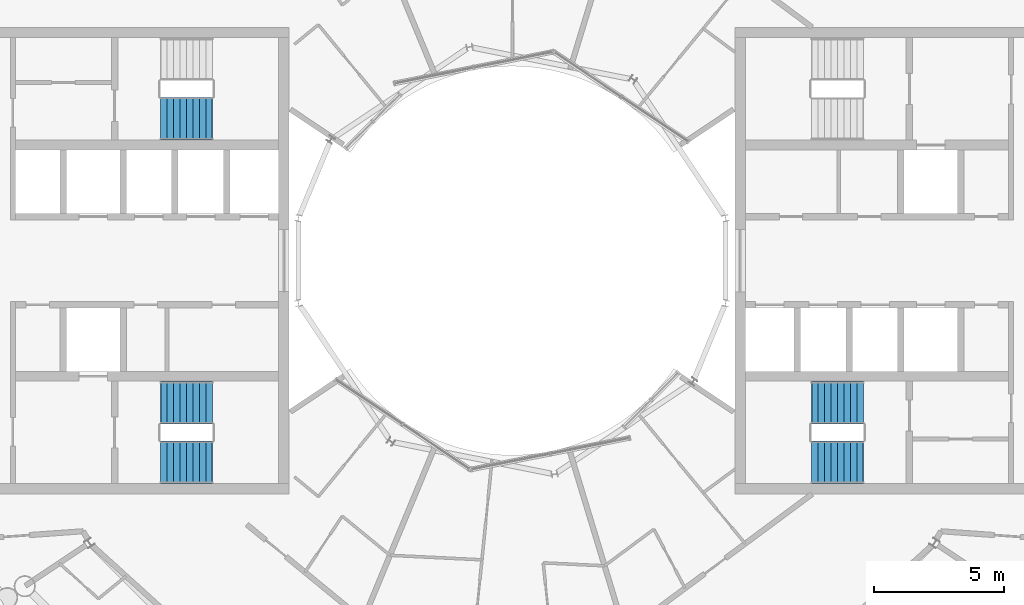
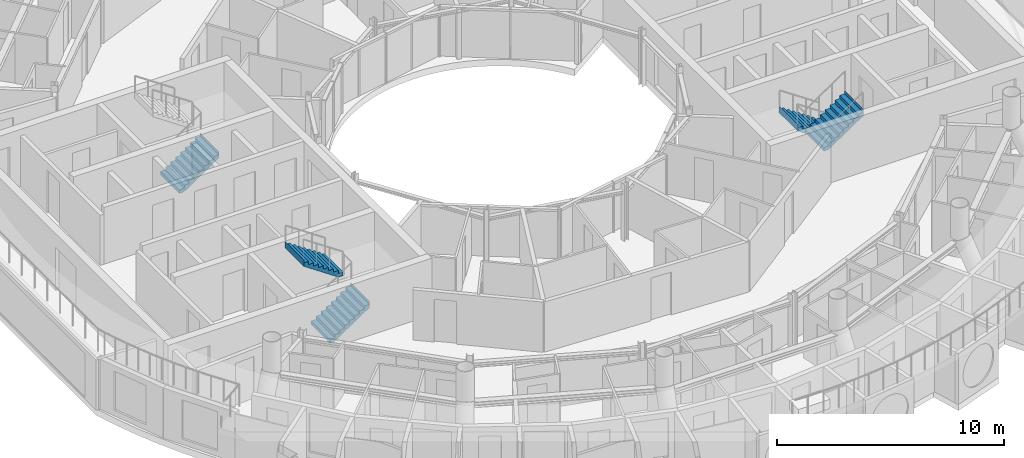
# One storey, part 22 of 25: 5 stair flights, 3 elements without a shape of their own.
"""IFC4 building model written with IfcOpenShell, lengths in metres."""

from ifc_helpers import new_model, si_unit, direction, frame, origin, place, context, subcontext, project, spatial, triangles, material, type_object, element, aggregate, save


model = new_model("IFC4")

# Units and contexts
model_context = context("Model", 3, precision=1e-05, world=origin(), true_north=direction((0.0, 1.0)))
body_context = subcontext(model_context, "Body", "Model", "MODEL_VIEW")
ifc_project = project(units=[si_unit("LENGTHUNIT", "METRE"), si_unit("AREAUNIT", "SQUARE_METRE"), si_unit("VOLUMEUNIT", "CUBIC_METRE"), si_unit("PLANEANGLEUNIT", "RADIAN"), si_unit("MASSUNIT", "GRAM", prefix="KILO")], contexts=[model_context])

# Site, building, storey
site_placement = place(None, origin())
site = spatial("IfcSite", under=ifc_project, at=site_placement, CompositionType="ELEMENT")
building_placement = place(site_placement, origin())
building = spatial("IfcBuilding", under=site, at=building_placement, Name="Maasbend Ring Residences", CompositionType="ELEMENT")
storey_placement = place(building_placement, frame((0.0, 0.0, 246.25)))
storey = spatial("IfcBuildingStorey", under=building, at=storey_placement, Name="L71", CompositionType="ELEMENT", Elevation=246.25)

# Stair, stair flights
ifc_material_1 = material(Name="Concrete C40/50", Category="concrete")
stair_type = type_object("IfcStairType", Name="CORE STAIR 18 RISERS", PredefinedType="HALF_TURN_STAIR", material=ifc_material_1)
stair_1_placement = place(storey_placement, origin())
stair_1 = element("IfcStair", 1, at=stair_1_placement, inside=storey, type_object=stair_type, Name="L71 Exit stair ST-E2", PredefinedType="HALF_TURN_STAIR")
ifc_material_2 = material(Name="Concrete C40/50", Category="concrete")
stair_flight_type = type_object("IfcStairFlightType", Name="CORE STAIR FLIGHT 1650", PredefinedType="STRAIGHT", material=ifc_material_2)
stair_flight_1_placement = place(storey_placement, frame((13.550048828125, -5.47509765625, 0.0), z_axis=(0.0, 0.0, 1.0), x_axis=(-1.0, 0.0, 0.0)))
stair_flight_1 = element("IfcStairFlight", 2, at=stair_flight_1_placement, type_object=stair_flight_type, Name="ST-E2 flight 1", NumberOfRisers=9, NumberOfTreads=8, PredefinedType="STRAIGHT", RiserHeight=0.169444444, TreadLength=0.25, context=body_context, shape_type="Tessellation", body=[
    triangles([(0.24072265625, 0.824951171875, -0.02001953125), (2.0029296875, 0.824951171875, 1.174560546875), (2.0029296875, 0.824951171875, 1.52490234375), (1.989990234375, 0.824951171875, 1.35546875), (1.75, 0.824951171875, 1.35546875), (1.75, 0.824951171875, 1.18603515625), (1.5, 0.824951171875, 1.18603515625), (1.5, 0.824951171875, 1.0166015625), (1.25, 0.824951171875, 1.0166015625), (1.25, 0.824951171875, 0.84716796875), (1.0, 0.824951171875, 0.84716796875), (1.0, 0.824951171875, 0.677734375), (0.75, 0.824951171875, 0.677734375), (0.75, 0.824951171875, 0.50830078125), (0.5, 0.824951171875, 0.50830078125), (0.5, 0.824951171875, 0.3388671875), (0.25, 0.824951171875, 0.3388671875), (0.25, 0.824951171875, 0.16943359375), (0.0, 0.824951171875, 0.16943359375), (0.0, 0.824951171875, 0.0), (-0.0029296875, 0.824951171875, 0.0), (-0.0029296875, 0.824951171875, -0.02001953125), (0.24072265625, 0.27490234375, -0.02001953125), (2.0029296875, 0.27490234375, 1.174560546875), (2.0029296875, 0.27490234375, 1.52490234375), (1.989990234375, 0.27490234375, 1.35546875), (1.75, 0.27490234375, 1.35546875), (1.75, 0.27490234375, 1.18603515625), (1.5, 0.27490234375, 1.18603515625), (1.5, 0.27490234375, 1.0166015625), (1.25, 0.27490234375, 1.0166015625), (1.25, 0.27490234375, 0.84716796875), (1.0, 0.27490234375, 0.84716796875), (1.0, 0.27490234375, 0.677734375), (0.75, 0.27490234375, 0.677734375), (0.75, 0.27490234375, 0.50830078125), (0.5, 0.27490234375, 0.50830078125), (0.5, 0.27490234375, 0.3388671875), (0.25, 0.27490234375, 0.3388671875), (0.25, 0.27490234375, 0.16943359375), (0.0, 0.27490234375, 0.16943359375), (0.0, 0.27490234375, 0.0), (-0.0029296875, 0.27490234375, 0.0), (-0.0029296875, 0.27490234375, -0.02001953125), (0.24072265625, -0.27490234375, -0.02001953125), (2.0029296875, -0.27490234375, 1.174560546875), (2.0029296875, -0.27490234375, 1.52490234375), (1.989990234375, -0.27490234375, 1.35546875), (1.75, -0.27490234375, 1.35546875), (1.75, -0.27490234375, 1.18603515625), (1.5, -0.27490234375, 1.18603515625), (1.5, -0.27490234375, 1.0166015625), (1.25, -0.27490234375, 1.0166015625), (1.25, -0.27490234375, 0.84716796875), (1.0, -0.27490234375, 0.84716796875), (1.0, -0.27490234375, 0.677734375), (0.75, -0.27490234375, 0.677734375), (0.75, -0.27490234375, 0.50830078125), (0.5, -0.27490234375, 0.50830078125), (0.5, -0.27490234375, 0.3388671875), (0.25, -0.27490234375, 0.3388671875), (0.25, -0.27490234375, 0.16943359375), (0.0, -0.27490234375, 0.16943359375), (0.0, -0.27490234375, 0.0), (-0.0029296875, -0.27490234375, 0.0), (-0.0029296875, -0.27490234375, -0.02001953125), (0.24072265625, -0.824951171875, -0.02001953125), (2.0029296875, -0.824951171875, 1.174560546875), (2.0029296875, -0.824951171875, 1.52490234375), (1.989990234375, -0.824951171875, 1.35546875), (1.75, -0.824951171875, 1.35546875), (1.75, -0.824951171875, 1.18603515625), (1.5, -0.824951171875, 1.18603515625), (1.5, -0.824951171875, 1.0166015625), (1.25, -0.824951171875, 1.0166015625), (1.25, -0.824951171875, 0.84716796875), (1.0, -0.824951171875, 0.84716796875), (1.0, -0.824951171875, 0.677734375), (0.75, -0.824951171875, 0.677734375), (0.75, -0.824951171875, 0.50830078125), (0.5, -0.824951171875, 0.50830078125), (0.5, -0.824951171875, 0.3388671875), (0.25, -0.824951171875, 0.3388671875), (0.25, -0.824951171875, 0.16943359375), (0.0, -0.824951171875, 0.16943359375), (0.0, -0.824951171875, 0.0), (-0.0029296875, -0.824951171875, 0.0), (-0.0029296875, -0.824951171875, -0.02001953125)], [[1, 2, 24], [1, 24, 23], [23, 24, 46], [23, 46, 45], [45, 46, 68], [45, 68, 67], [2, 3, 25], [2, 25, 24], [24, 25, 47], [24, 47, 46], [46, 47, 69], [46, 69, 68], [3, 4, 26], [3, 26, 25], [25, 26, 48], [25, 48, 47], [47, 48, 70], [47, 70, 69], [4, 5, 27], [4, 27, 26], [26, 27, 49], [26, 49, 48], [48, 49, 71], [48, 71, 70], [5, 6, 28], [5, 28, 27], [27, 28, 50], [27, 50, 49], [49, 50, 72], [49, 72, 71], [6, 7, 29], [6, 29, 28], [28, 29, 51], [28, 51, 50], [50, 51, 73], [50, 73, 72], [7, 8, 30], [7, 30, 29], [29, 30, 52], [29, 52, 51], [51, 52, 74], [51, 74, 73], [8, 9, 31], [8, 31, 30], [30, 31, 53], [30, 53, 52], [52, 53, 75], [52, 75, 74], [9, 10, 32], [9, 32, 31], [31, 32, 54], [31, 54, 53], [53, 54, 76], [53, 76, 75], [10, 11, 33], [10, 33, 32], [32, 33, 55], [32, 55, 54], [54, 55, 77], [54, 77, 76], [11, 12, 34], [11, 34, 33], [33, 34, 56], [33, 56, 55], [55, 56, 78], [55, 78, 77], [12, 13, 35], [12, 35, 34], [34, 35, 57], [34, 57, 56], [56, 57, 79], [56, 79, 78], [13, 14, 36], [13, 36, 35], [35, 36, 58], [35, 58, 57], [57, 58, 80], [57, 80, 79], [14, 15, 37], [14, 37, 36], [36, 37, 59], [36, 59, 58], [58, 59, 81], [58, 81, 80], [15, 16, 38], [15, 38, 37], [37, 38, 60], [37, 60, 59], [59, 60, 82], [59, 82, 81], [16, 17, 39], [16, 39, 38], [38, 39, 61], [38, 61, 60], [60, 61, 83], [60, 83, 82], [17, 18, 40], [17, 40, 39], [39, 40, 62], [39, 62, 61], [61, 62, 84], [61, 84, 83], [18, 19, 41], [18, 41, 40], [40, 41, 63], [40, 63, 62], [62, 63, 85], [62, 85, 84], [19, 20, 42], [19, 42, 41], [41, 42, 64], [41, 64, 63], [63, 64, 86], [63, 86, 85], [20, 21, 43], [20, 43, 42], [42, 43, 65], [42, 65, 64], [64, 65, 87], [64, 87, 86], [21, 22, 44], [21, 44, 43], [43, 44, 66], [43, 66, 65], [65, 66, 88], [65, 88, 87], [22, 1, 23], [22, 23, 44], [44, 23, 45], [44, 45, 66], [66, 45, 67], [66, 67, 88], [22, 2, 1], [2, 4, 3], [2, 5, 4], [2, 6, 5], [22, 6, 2], [6, 8, 7], [22, 8, 6], [8, 10, 9], [22, 10, 8], [10, 12, 11], [22, 12, 10], [12, 14, 13], [22, 14, 12], [14, 16, 15], [22, 16, 14], [16, 18, 17], [22, 18, 16], [18, 20, 19], [22, 20, 18], [20, 22, 21], [88, 67, 68], [68, 69, 70], [68, 70, 71], [68, 71, 72], [88, 68, 72], [72, 73, 74], [88, 72, 74], [74, 75, 76], [88, 74, 76], [76, 77, 78], [88, 76, 78], [78, 79, 80], [88, 78, 80], [80, 81, 82], [88, 80, 82], [82, 83, 84], [88, 82, 84], [84, 85, 86], [88, 84, 86], [86, 87, 88]], closed=True),
])
stair_flight_2_placement = place(storey_placement, frame((11.550048828125, -7.77490234375, 1.52490234375), z_axis=(0.0, 0.0, 1.0), x_axis=(1.0, 0.0, 0.0)))
stair_flight_2 = element("IfcStairFlight", 3, at=stair_flight_2_placement, type_object=stair_flight_type, Name="ST-E2 flight 2", NumberOfRisers=9, NumberOfTreads=8, PredefinedType="STRAIGHT", RiserHeight=0.169444444, TreadLength=0.25, context=body_context, shape_type="Tessellation", body=[
    triangles([(0.24072265625, 0.824951171875, -0.02001953125), (2.0029296875, 0.824951171875, 1.174560546875), (2.0029296875, 0.824951171875, 1.52490234375), (1.989990234375, 0.824951171875, 1.35546875), (1.75, 0.824951171875, 1.35546875), (1.75, 0.824951171875, 1.18603515625), (1.5, 0.824951171875, 1.18603515625), (1.5, 0.824951171875, 1.0166015625), (1.25, 0.824951171875, 1.0166015625), (1.25, 0.824951171875, 0.84716796875), (1.0, 0.824951171875, 0.84716796875), (1.0, 0.824951171875, 0.677734375), (0.75, 0.824951171875, 0.677734375), (0.75, 0.824951171875, 0.50830078125), (0.5, 0.824951171875, 0.50830078125), (0.5, 0.824951171875, 0.3388671875), (0.25, 0.824951171875, 0.3388671875), (0.25, 0.824951171875, 0.16943359375), (0.0, 0.824951171875, 0.16943359375), (0.0, 0.824951171875, 0.0), (-0.0029296875, 0.824951171875, 0.0), (-0.0029296875, 0.824951171875, -0.02001953125), (0.24072265625, 0.27490234375, -0.02001953125), (2.0029296875, 0.27490234375, 1.174560546875), (2.0029296875, 0.27490234375, 1.52490234375), (1.989990234375, 0.27490234375, 1.35546875), (1.75, 0.27490234375, 1.35546875), (1.75, 0.27490234375, 1.18603515625), (1.5, 0.27490234375, 1.18603515625), (1.5, 0.27490234375, 1.0166015625), (1.25, 0.27490234375, 1.0166015625), (1.25, 0.27490234375, 0.84716796875), (1.0, 0.27490234375, 0.84716796875), (1.0, 0.27490234375, 0.677734375), (0.75, 0.27490234375, 0.677734375), (0.75, 0.27490234375, 0.50830078125), (0.5, 0.27490234375, 0.50830078125), (0.5, 0.27490234375, 0.3388671875), (0.25, 0.27490234375, 0.3388671875), (0.25, 0.27490234375, 0.16943359375), (0.0, 0.27490234375, 0.16943359375), (0.0, 0.27490234375, 0.0), (-0.0029296875, 0.27490234375, 0.0), (-0.0029296875, 0.27490234375, -0.02001953125), (0.24072265625, -0.27490234375, -0.02001953125), (2.0029296875, -0.27490234375, 1.174560546875), (2.0029296875, -0.27490234375, 1.52490234375), (1.989990234375, -0.27490234375, 1.35546875), (1.75, -0.27490234375, 1.35546875), (1.75, -0.27490234375, 1.18603515625), (1.5, -0.27490234375, 1.18603515625), (1.5, -0.27490234375, 1.0166015625), (1.25, -0.27490234375, 1.0166015625), (1.25, -0.27490234375, 0.84716796875), (1.0, -0.27490234375, 0.84716796875), (1.0, -0.27490234375, 0.677734375), (0.75, -0.27490234375, 0.677734375), (0.75, -0.27490234375, 0.50830078125), (0.5, -0.27490234375, 0.50830078125), (0.5, -0.27490234375, 0.3388671875), (0.25, -0.27490234375, 0.3388671875), (0.25, -0.27490234375, 0.16943359375), (0.0, -0.27490234375, 0.16943359375), (0.0, -0.27490234375, 0.0), (-0.0029296875, -0.27490234375, 0.0), (-0.0029296875, -0.27490234375, -0.02001953125), (0.24072265625, -0.824951171875, -0.02001953125), (2.0029296875, -0.824951171875, 1.174560546875), (2.0029296875, -0.824951171875, 1.52490234375), (1.989990234375, -0.824951171875, 1.35546875), (1.75, -0.824951171875, 1.35546875), (1.75, -0.824951171875, 1.18603515625), (1.5, -0.824951171875, 1.18603515625), (1.5, -0.824951171875, 1.0166015625), (1.25, -0.824951171875, 1.0166015625), (1.25, -0.824951171875, 0.84716796875), (1.0, -0.824951171875, 0.84716796875), (1.0, -0.824951171875, 0.677734375), (0.75, -0.824951171875, 0.677734375), (0.75, -0.824951171875, 0.50830078125), (0.5, -0.824951171875, 0.50830078125), (0.5, -0.824951171875, 0.3388671875), (0.25, -0.824951171875, 0.3388671875), (0.25, -0.824951171875, 0.16943359375), (0.0, -0.824951171875, 0.16943359375), (0.0, -0.824951171875, 0.0), (-0.0029296875, -0.824951171875, 0.0), (-0.0029296875, -0.824951171875, -0.02001953125)], [[1, 2, 24], [1, 24, 23], [23, 24, 46], [23, 46, 45], [45, 46, 68], [45, 68, 67], [2, 3, 25], [2, 25, 24], [24, 25, 47], [24, 47, 46], [46, 47, 69], [46, 69, 68], [3, 4, 26], [3, 26, 25], [25, 26, 48], [25, 48, 47], [47, 48, 70], [47, 70, 69], [4, 5, 27], [4, 27, 26], [26, 27, 49], [26, 49, 48], [48, 49, 71], [48, 71, 70], [5, 6, 28], [5, 28, 27], [27, 28, 50], [27, 50, 49], [49, 50, 72], [49, 72, 71], [6, 7, 29], [6, 29, 28], [28, 29, 51], [28, 51, 50], [50, 51, 73], [50, 73, 72], [7, 8, 30], [7, 30, 29], [29, 30, 52], [29, 52, 51], [51, 52, 74], [51, 74, 73], [8, 9, 31], [8, 31, 30], [30, 31, 53], [30, 53, 52], [52, 53, 75], [52, 75, 74], [9, 10, 32], [9, 32, 31], [31, 32, 54], [31, 54, 53], [53, 54, 76], [53, 76, 75], [10, 11, 33], [10, 33, 32], [32, 33, 55], [32, 55, 54], [54, 55, 77], [54, 77, 76], [11, 12, 34], [11, 34, 33], [33, 34, 56], [33, 56, 55], [55, 56, 78], [55, 78, 77], [12, 13, 35], [12, 35, 34], [34, 35, 57], [34, 57, 56], [56, 57, 79], [56, 79, 78], [13, 14, 36], [13, 36, 35], [35, 36, 58], [35, 58, 57], [57, 58, 80], [57, 80, 79], [14, 15, 37], [14, 37, 36], [36, 37, 59], [36, 59, 58], [58, 59, 81], [58, 81, 80], [15, 16, 38], [15, 38, 37], [37, 38, 60], [37, 60, 59], [59, 60, 82], [59, 82, 81], [16, 17, 39], [16, 39, 38], [38, 39, 61], [38, 61, 60], [60, 61, 83], [60, 83, 82], [17, 18, 40], [17, 40, 39], [39, 40, 62], [39, 62, 61], [61, 62, 84], [61, 84, 83], [18, 19, 41], [18, 41, 40], [40, 41, 63], [40, 63, 62], [62, 63, 85], [62, 85, 84], [19, 20, 42], [19, 42, 41], [41, 42, 64], [41, 64, 63], [63, 64, 86], [63, 86, 85], [20, 21, 43], [20, 43, 42], [42, 43, 65], [42, 65, 64], [64, 65, 87], [64, 87, 86], [21, 22, 44], [21, 44, 43], [43, 44, 66], [43, 66, 65], [65, 66, 88], [65, 88, 87], [22, 1, 23], [22, 23, 44], [44, 23, 45], [44, 45, 66], [66, 45, 67], [66, 67, 88], [22, 2, 1], [2, 4, 3], [2, 5, 4], [2, 6, 5], [22, 6, 2], [6, 8, 7], [22, 8, 6], [8, 10, 9], [22, 10, 8], [10, 12, 11], [22, 12, 10], [12, 14, 13], [22, 14, 12], [14, 16, 15], [22, 16, 14], [16, 18, 17], [22, 18, 16], [18, 20, 19], [22, 20, 18], [20, 22, 21], [88, 67, 68], [68, 69, 70], [68, 70, 71], [68, 71, 72], [88, 68, 72], [72, 73, 74], [88, 72, 74], [74, 75, 76], [88, 74, 76], [76, 77, 78], [88, 76, 78], [78, 79, 80], [88, 78, 80], [80, 81, 82], [88, 80, 82], [82, 83, 84], [88, 82, 84], [84, 85, 86], [88, 84, 86], [86, 87, 88]], closed=True),
])
aggregate(stair_1, [stair_flight_1, stair_flight_2])

stair_2_placement = place(storey_placement, origin())
stair_2 = element("IfcStair", 4, at=stair_2_placement, inside=storey, type_object=stair_type, Name="L71 Exit stair ST-W1", PredefinedType="HALF_TURN_STAIR")
stair_flight_3_placement = place(storey_placement, frame((-13.550048828125, -7.77490234375, 0.0), z_axis=(0.0, 0.0, 1.0), x_axis=(1.0, 0.0, 0.0)))
stair_flight_3 = element("IfcStairFlight", 5, at=stair_flight_3_placement, type_object=stair_flight_type, Name="ST-W1 flight 1", NumberOfRisers=9, NumberOfTreads=8, PredefinedType="STRAIGHT", RiserHeight=0.169444444, TreadLength=0.25, context=body_context, shape_type="Tessellation", body=[
    triangles([(0.24072265625, 0.824951171875, -0.02001953125), (2.0029296875, 0.824951171875, 1.174560546875), (2.0029296875, 0.824951171875, 1.52490234375), (1.989990234375, 0.824951171875, 1.35546875), (1.75, 0.824951171875, 1.35546875), (1.75, 0.824951171875, 1.18603515625), (1.5, 0.824951171875, 1.18603515625), (1.5, 0.824951171875, 1.0166015625), (1.25, 0.824951171875, 1.0166015625), (1.25, 0.824951171875, 0.84716796875), (1.0, 0.824951171875, 0.84716796875), (1.0, 0.824951171875, 0.677734375), (0.75, 0.824951171875, 0.677734375), (0.75, 0.824951171875, 0.50830078125), (0.5, 0.824951171875, 0.50830078125), (0.5, 0.824951171875, 0.3388671875), (0.25, 0.824951171875, 0.3388671875), (0.25, 0.824951171875, 0.16943359375), (0.0, 0.824951171875, 0.16943359375), (0.0, 0.824951171875, 0.0), (-0.0029296875, 0.824951171875, 0.0), (-0.0029296875, 0.824951171875, -0.02001953125), (0.24072265625, 0.27490234375, -0.02001953125), (2.0029296875, 0.27490234375, 1.174560546875), (2.0029296875, 0.27490234375, 1.52490234375), (1.989990234375, 0.27490234375, 1.35546875), (1.75, 0.27490234375, 1.35546875), (1.75, 0.27490234375, 1.18603515625), (1.5, 0.27490234375, 1.18603515625), (1.5, 0.27490234375, 1.0166015625), (1.25, 0.27490234375, 1.0166015625), (1.25, 0.27490234375, 0.84716796875), (1.0, 0.27490234375, 0.84716796875), (1.0, 0.27490234375, 0.677734375), (0.75, 0.27490234375, 0.677734375), (0.75, 0.27490234375, 0.50830078125), (0.5, 0.27490234375, 0.50830078125), (0.5, 0.27490234375, 0.3388671875), (0.25, 0.27490234375, 0.3388671875), (0.25, 0.27490234375, 0.16943359375), (0.0, 0.27490234375, 0.16943359375), (0.0, 0.27490234375, 0.0), (-0.0029296875, 0.27490234375, 0.0), (-0.0029296875, 0.27490234375, -0.02001953125), (0.24072265625, -0.27490234375, -0.02001953125), (2.0029296875, -0.27490234375, 1.174560546875), (2.0029296875, -0.27490234375, 1.52490234375), (1.989990234375, -0.27490234375, 1.35546875), (1.75, -0.27490234375, 1.35546875), (1.75, -0.27490234375, 1.18603515625), (1.5, -0.27490234375, 1.18603515625), (1.5, -0.27490234375, 1.0166015625), (1.25, -0.27490234375, 1.0166015625), (1.25, -0.27490234375, 0.84716796875), (1.0, -0.27490234375, 0.84716796875), (1.0, -0.27490234375, 0.677734375), (0.75, -0.27490234375, 0.677734375), (0.75, -0.27490234375, 0.50830078125), (0.5, -0.27490234375, 0.50830078125), (0.5, -0.27490234375, 0.3388671875), (0.25, -0.27490234375, 0.3388671875), (0.25, -0.27490234375, 0.16943359375), (0.0, -0.27490234375, 0.16943359375), (0.0, -0.27490234375, 0.0), (-0.0029296875, -0.27490234375, 0.0), (-0.0029296875, -0.27490234375, -0.02001953125), (0.24072265625, -0.824951171875, -0.02001953125), (2.0029296875, -0.824951171875, 1.174560546875), (2.0029296875, -0.824951171875, 1.52490234375), (1.989990234375, -0.824951171875, 1.35546875), (1.75, -0.824951171875, 1.35546875), (1.75, -0.824951171875, 1.18603515625), (1.5, -0.824951171875, 1.18603515625), (1.5, -0.824951171875, 1.0166015625), (1.25, -0.824951171875, 1.0166015625), (1.25, -0.824951171875, 0.84716796875), (1.0, -0.824951171875, 0.84716796875), (1.0, -0.824951171875, 0.677734375), (0.75, -0.824951171875, 0.677734375), (0.75, -0.824951171875, 0.50830078125), (0.5, -0.824951171875, 0.50830078125), (0.5, -0.824951171875, 0.3388671875), (0.25, -0.824951171875, 0.3388671875), (0.25, -0.824951171875, 0.16943359375), (0.0, -0.824951171875, 0.16943359375), (0.0, -0.824951171875, 0.0), (-0.0029296875, -0.824951171875, 0.0), (-0.0029296875, -0.824951171875, -0.02001953125)], [[1, 2, 24], [1, 24, 23], [23, 24, 46], [23, 46, 45], [45, 46, 68], [45, 68, 67], [2, 3, 25], [2, 25, 24], [24, 25, 47], [24, 47, 46], [46, 47, 69], [46, 69, 68], [3, 4, 26], [3, 26, 25], [25, 26, 48], [25, 48, 47], [47, 48, 70], [47, 70, 69], [4, 5, 27], [4, 27, 26], [26, 27, 49], [26, 49, 48], [48, 49, 71], [48, 71, 70], [5, 6, 28], [5, 28, 27], [27, 28, 50], [27, 50, 49], [49, 50, 72], [49, 72, 71], [6, 7, 29], [6, 29, 28], [28, 29, 51], [28, 51, 50], [50, 51, 73], [50, 73, 72], [7, 8, 30], [7, 30, 29], [29, 30, 52], [29, 52, 51], [51, 52, 74], [51, 74, 73], [8, 9, 31], [8, 31, 30], [30, 31, 53], [30, 53, 52], [52, 53, 75], [52, 75, 74], [9, 10, 32], [9, 32, 31], [31, 32, 54], [31, 54, 53], [53, 54, 76], [53, 76, 75], [10, 11, 33], [10, 33, 32], [32, 33, 55], [32, 55, 54], [54, 55, 77], [54, 77, 76], [11, 12, 34], [11, 34, 33], [33, 34, 56], [33, 56, 55], [55, 56, 78], [55, 78, 77], [12, 13, 35], [12, 35, 34], [34, 35, 57], [34, 57, 56], [56, 57, 79], [56, 79, 78], [13, 14, 36], [13, 36, 35], [35, 36, 58], [35, 58, 57], [57, 58, 80], [57, 80, 79], [14, 15, 37], [14, 37, 36], [36, 37, 59], [36, 59, 58], [58, 59, 81], [58, 81, 80], [15, 16, 38], [15, 38, 37], [37, 38, 60], [37, 60, 59], [59, 60, 82], [59, 82, 81], [16, 17, 39], [16, 39, 38], [38, 39, 61], [38, 61, 60], [60, 61, 83], [60, 83, 82], [17, 18, 40], [17, 40, 39], [39, 40, 62], [39, 62, 61], [61, 62, 84], [61, 84, 83], [18, 19, 41], [18, 41, 40], [40, 41, 63], [40, 63, 62], [62, 63, 85], [62, 85, 84], [19, 20, 42], [19, 42, 41], [41, 42, 64], [41, 64, 63], [63, 64, 86], [63, 86, 85], [20, 21, 43], [20, 43, 42], [42, 43, 65], [42, 65, 64], [64, 65, 87], [64, 87, 86], [21, 22, 44], [21, 44, 43], [43, 44, 66], [43, 66, 65], [65, 66, 88], [65, 88, 87], [22, 1, 23], [22, 23, 44], [44, 23, 45], [44, 45, 66], [66, 45, 67], [66, 67, 88], [22, 2, 1], [2, 4, 3], [2, 5, 4], [2, 6, 5], [22, 6, 2], [6, 8, 7], [22, 8, 6], [8, 10, 9], [22, 10, 8], [10, 12, 11], [22, 12, 10], [12, 14, 13], [22, 14, 12], [14, 16, 15], [22, 16, 14], [16, 18, 17], [22, 18, 16], [18, 20, 19], [22, 20, 18], [20, 22, 21], [88, 67, 68], [68, 69, 70], [68, 70, 71], [68, 71, 72], [88, 68, 72], [72, 73, 74], [88, 72, 74], [74, 75, 76], [88, 74, 76], [76, 77, 78], [88, 76, 78], [78, 79, 80], [88, 78, 80], [80, 81, 82], [88, 80, 82], [82, 83, 84], [88, 82, 84], [84, 85, 86], [88, 84, 86], [86, 87, 88]], closed=True),
])
stair_flight_4_placement = place(storey_placement, frame((-11.550048828125, -5.47509765625, 1.52490234375), z_axis=(0.0, 0.0, 1.0), x_axis=(-1.0, 0.0, 0.0)))
stair_flight_4 = element("IfcStairFlight", 6, at=stair_flight_4_placement, type_object=stair_flight_type, Name="ST-W1 flight 2", NumberOfRisers=9, NumberOfTreads=8, PredefinedType="STRAIGHT", RiserHeight=0.169444444, TreadLength=0.25, context=body_context, shape_type="Tessellation", body=[
    triangles([(0.24072265625, 0.824951171875, -0.02001953125), (2.0029296875, 0.824951171875, 1.174560546875), (2.0029296875, 0.824951171875, 1.52490234375), (1.989990234375, 0.824951171875, 1.35546875), (1.75, 0.824951171875, 1.35546875), (1.75, 0.824951171875, 1.18603515625), (1.5, 0.824951171875, 1.18603515625), (1.5, 0.824951171875, 1.0166015625), (1.25, 0.824951171875, 1.0166015625), (1.25, 0.824951171875, 0.84716796875), (1.0, 0.824951171875, 0.84716796875), (1.0, 0.824951171875, 0.677734375), (0.75, 0.824951171875, 0.677734375), (0.75, 0.824951171875, 0.50830078125), (0.5, 0.824951171875, 0.50830078125), (0.5, 0.824951171875, 0.3388671875), (0.25, 0.824951171875, 0.3388671875), (0.25, 0.824951171875, 0.16943359375), (0.0, 0.824951171875, 0.16943359375), (0.0, 0.824951171875, 0.0), (-0.0029296875, 0.824951171875, 0.0), (-0.0029296875, 0.824951171875, -0.02001953125), (0.24072265625, 0.27490234375, -0.02001953125), (2.0029296875, 0.27490234375, 1.174560546875), (2.0029296875, 0.27490234375, 1.52490234375), (1.989990234375, 0.27490234375, 1.35546875), (1.75, 0.27490234375, 1.35546875), (1.75, 0.27490234375, 1.18603515625), (1.5, 0.27490234375, 1.18603515625), (1.5, 0.27490234375, 1.0166015625), (1.25, 0.27490234375, 1.0166015625), (1.25, 0.27490234375, 0.84716796875), (1.0, 0.27490234375, 0.84716796875), (1.0, 0.27490234375, 0.677734375), (0.75, 0.27490234375, 0.677734375), (0.75, 0.27490234375, 0.50830078125), (0.5, 0.27490234375, 0.50830078125), (0.5, 0.27490234375, 0.3388671875), (0.25, 0.27490234375, 0.3388671875), (0.25, 0.27490234375, 0.16943359375), (0.0, 0.27490234375, 0.16943359375), (0.0, 0.27490234375, 0.0), (-0.0029296875, 0.27490234375, 0.0), (-0.0029296875, 0.27490234375, -0.02001953125), (0.24072265625, -0.27490234375, -0.02001953125), (2.0029296875, -0.27490234375, 1.174560546875), (2.0029296875, -0.27490234375, 1.52490234375), (1.989990234375, -0.27490234375, 1.35546875), (1.75, -0.27490234375, 1.35546875), (1.75, -0.27490234375, 1.18603515625), (1.5, -0.27490234375, 1.18603515625), (1.5, -0.27490234375, 1.0166015625), (1.25, -0.27490234375, 1.0166015625), (1.25, -0.27490234375, 0.84716796875), (1.0, -0.27490234375, 0.84716796875), (1.0, -0.27490234375, 0.677734375), (0.75, -0.27490234375, 0.677734375), (0.75, -0.27490234375, 0.50830078125), (0.5, -0.27490234375, 0.50830078125), (0.5, -0.27490234375, 0.3388671875), (0.25, -0.27490234375, 0.3388671875), (0.25, -0.27490234375, 0.16943359375), (0.0, -0.27490234375, 0.16943359375), (0.0, -0.27490234375, 0.0), (-0.0029296875, -0.27490234375, 0.0), (-0.0029296875, -0.27490234375, -0.02001953125), (0.24072265625, -0.824951171875, -0.02001953125), (2.0029296875, -0.824951171875, 1.174560546875), (2.0029296875, -0.824951171875, 1.52490234375), (1.989990234375, -0.824951171875, 1.35546875), (1.75, -0.824951171875, 1.35546875), (1.75, -0.824951171875, 1.18603515625), (1.5, -0.824951171875, 1.18603515625), (1.5, -0.824951171875, 1.0166015625), (1.25, -0.824951171875, 1.0166015625), (1.25, -0.824951171875, 0.84716796875), (1.0, -0.824951171875, 0.84716796875), (1.0, -0.824951171875, 0.677734375), (0.75, -0.824951171875, 0.677734375), (0.75, -0.824951171875, 0.50830078125), (0.5, -0.824951171875, 0.50830078125), (0.5, -0.824951171875, 0.3388671875), (0.25, -0.824951171875, 0.3388671875), (0.25, -0.824951171875, 0.16943359375), (0.0, -0.824951171875, 0.16943359375), (0.0, -0.824951171875, 0.0), (-0.0029296875, -0.824951171875, 0.0), (-0.0029296875, -0.824951171875, -0.02001953125)], [[1, 2, 24], [1, 24, 23], [23, 24, 46], [23, 46, 45], [45, 46, 68], [45, 68, 67], [2, 3, 25], [2, 25, 24], [24, 25, 47], [24, 47, 46], [46, 47, 69], [46, 69, 68], [3, 4, 26], [3, 26, 25], [25, 26, 48], [25, 48, 47], [47, 48, 70], [47, 70, 69], [4, 5, 27], [4, 27, 26], [26, 27, 49], [26, 49, 48], [48, 49, 71], [48, 71, 70], [5, 6, 28], [5, 28, 27], [27, 28, 50], [27, 50, 49], [49, 50, 72], [49, 72, 71], [6, 7, 29], [6, 29, 28], [28, 29, 51], [28, 51, 50], [50, 51, 73], [50, 73, 72], [7, 8, 30], [7, 30, 29], [29, 30, 52], [29, 52, 51], [51, 52, 74], [51, 74, 73], [8, 9, 31], [8, 31, 30], [30, 31, 53], [30, 53, 52], [52, 53, 75], [52, 75, 74], [9, 10, 32], [9, 32, 31], [31, 32, 54], [31, 54, 53], [53, 54, 76], [53, 76, 75], [10, 11, 33], [10, 33, 32], [32, 33, 55], [32, 55, 54], [54, 55, 77], [54, 77, 76], [11, 12, 34], [11, 34, 33], [33, 34, 56], [33, 56, 55], [55, 56, 78], [55, 78, 77], [12, 13, 35], [12, 35, 34], [34, 35, 57], [34, 57, 56], [56, 57, 79], [56, 79, 78], [13, 14, 36], [13, 36, 35], [35, 36, 58], [35, 58, 57], [57, 58, 80], [57, 80, 79], [14, 15, 37], [14, 37, 36], [36, 37, 59], [36, 59, 58], [58, 59, 81], [58, 81, 80], [15, 16, 38], [15, 38, 37], [37, 38, 60], [37, 60, 59], [59, 60, 82], [59, 82, 81], [16, 17, 39], [16, 39, 38], [38, 39, 61], [38, 61, 60], [60, 61, 83], [60, 83, 82], [17, 18, 40], [17, 40, 39], [39, 40, 62], [39, 62, 61], [61, 62, 84], [61, 84, 83], [18, 19, 41], [18, 41, 40], [40, 41, 63], [40, 63, 62], [62, 63, 85], [62, 85, 84], [19, 20, 42], [19, 42, 41], [41, 42, 64], [41, 64, 63], [63, 64, 86], [63, 86, 85], [20, 21, 43], [20, 43, 42], [42, 43, 65], [42, 65, 64], [64, 65, 87], [64, 87, 86], [21, 22, 44], [21, 44, 43], [43, 44, 66], [43, 66, 65], [65, 66, 88], [65, 88, 87], [22, 1, 23], [22, 23, 44], [44, 23, 45], [44, 45, 66], [66, 45, 67], [66, 67, 88], [22, 2, 1], [2, 4, 3], [2, 5, 4], [2, 6, 5], [22, 6, 2], [6, 8, 7], [22, 8, 6], [8, 10, 9], [22, 10, 8], [10, 12, 11], [22, 12, 10], [12, 14, 13], [22, 14, 12], [14, 16, 15], [22, 16, 14], [16, 18, 17], [22, 18, 16], [18, 20, 19], [22, 20, 18], [20, 22, 21], [88, 67, 68], [68, 69, 70], [68, 70, 71], [68, 71, 72], [88, 68, 72], [72, 73, 74], [88, 72, 74], [74, 75, 76], [88, 74, 76], [76, 77, 78], [88, 76, 78], [78, 79, 80], [88, 78, 80], [80, 81, 82], [88, 80, 82], [82, 83, 84], [88, 82, 84], [84, 85, 86], [88, 84, 86], [86, 87, 88]], closed=True),
])
aggregate(stair_2, [stair_flight_3, stair_flight_4])

# Stair, stair flight
stair_3_placement = place(storey_placement, origin())
stair_3 = element("IfcStair", 7, at=stair_3_placement, inside=storey, type_object=stair_type, Name="L71 Exit stair ST-W2", PredefinedType="HALF_TURN_STAIR")
stair_flight_5_placement = place(storey_placement, frame((-13.550048828125, 5.47509765625, 0.0), z_axis=(0.0, 0.0, 1.0), x_axis=(1.0, 0.0, 0.0)))
stair_flight_5 = element("IfcStairFlight", 8, at=stair_flight_5_placement, type_object=stair_flight_type, Name="ST-W2 flight 1", NumberOfRisers=9, NumberOfTreads=8, PredefinedType="STRAIGHT", RiserHeight=0.169444444, TreadLength=0.25, context=body_context, shape_type="Tessellation", body=[
    triangles([(0.24072265625, 0.824951171875, -0.02001953125), (2.0029296875, 0.824951171875, 1.174560546875), (2.0029296875, 0.824951171875, 1.52490234375), (1.989990234375, 0.824951171875, 1.35546875), (1.75, 0.824951171875, 1.35546875), (1.75, 0.824951171875, 1.18603515625), (1.5, 0.824951171875, 1.18603515625), (1.5, 0.824951171875, 1.0166015625), (1.25, 0.824951171875, 1.0166015625), (1.25, 0.824951171875, 0.84716796875), (1.0, 0.824951171875, 0.84716796875), (1.0, 0.824951171875, 0.677734375), (0.75, 0.824951171875, 0.677734375), (0.75, 0.824951171875, 0.50830078125), (0.5, 0.824951171875, 0.50830078125), (0.5, 0.824951171875, 0.3388671875), (0.25, 0.824951171875, 0.3388671875), (0.25, 0.824951171875, 0.16943359375), (0.0, 0.824951171875, 0.16943359375), (0.0, 0.824951171875, 0.0), (-0.0029296875, 0.824951171875, 0.0), (-0.0029296875, 0.824951171875, -0.02001953125), (0.24072265625, 0.27490234375, -0.02001953125), (2.0029296875, 0.27490234375, 1.174560546875), (2.0029296875, 0.27490234375, 1.52490234375), (1.989990234375, 0.27490234375, 1.35546875), (1.75, 0.27490234375, 1.35546875), (1.75, 0.27490234375, 1.18603515625), (1.5, 0.27490234375, 1.18603515625), (1.5, 0.27490234375, 1.0166015625), (1.25, 0.27490234375, 1.0166015625), (1.25, 0.27490234375, 0.84716796875), (1.0, 0.27490234375, 0.84716796875), (1.0, 0.27490234375, 0.677734375), (0.75, 0.27490234375, 0.677734375), (0.75, 0.27490234375, 0.50830078125), (0.5, 0.27490234375, 0.50830078125), (0.5, 0.27490234375, 0.3388671875), (0.25, 0.27490234375, 0.3388671875), (0.25, 0.27490234375, 0.16943359375), (0.0, 0.27490234375, 0.16943359375), (0.0, 0.27490234375, 0.0), (-0.0029296875, 0.27490234375, 0.0), (-0.0029296875, 0.27490234375, -0.02001953125), (0.24072265625, -0.27490234375, -0.02001953125), (2.0029296875, -0.27490234375, 1.174560546875), (2.0029296875, -0.27490234375, 1.52490234375), (1.989990234375, -0.27490234375, 1.35546875), (1.75, -0.27490234375, 1.35546875), (1.75, -0.27490234375, 1.18603515625), (1.5, -0.27490234375, 1.18603515625), (1.5, -0.27490234375, 1.0166015625), (1.25, -0.27490234375, 1.0166015625), (1.25, -0.27490234375, 0.84716796875), (1.0, -0.27490234375, 0.84716796875), (1.0, -0.27490234375, 0.677734375), (0.75, -0.27490234375, 0.677734375), (0.75, -0.27490234375, 0.50830078125), (0.5, -0.27490234375, 0.50830078125), (0.5, -0.27490234375, 0.3388671875), (0.25, -0.27490234375, 0.3388671875), (0.25, -0.27490234375, 0.16943359375), (0.0, -0.27490234375, 0.16943359375), (0.0, -0.27490234375, 0.0), (-0.0029296875, -0.27490234375, 0.0), (-0.0029296875, -0.27490234375, -0.02001953125), (0.24072265625, -0.824951171875, -0.02001953125), (2.0029296875, -0.824951171875, 1.174560546875), (2.0029296875, -0.824951171875, 1.52490234375), (1.989990234375, -0.824951171875, 1.35546875), (1.75, -0.824951171875, 1.35546875), (1.75, -0.824951171875, 1.18603515625), (1.5, -0.824951171875, 1.18603515625), (1.5, -0.824951171875, 1.0166015625), (1.25, -0.824951171875, 1.0166015625), (1.25, -0.824951171875, 0.84716796875), (1.0, -0.824951171875, 0.84716796875), (1.0, -0.824951171875, 0.677734375), (0.75, -0.824951171875, 0.677734375), (0.75, -0.824951171875, 0.50830078125), (0.5, -0.824951171875, 0.50830078125), (0.5, -0.824951171875, 0.3388671875), (0.25, -0.824951171875, 0.3388671875), (0.25, -0.824951171875, 0.16943359375), (0.0, -0.824951171875, 0.16943359375), (0.0, -0.824951171875, 0.0), (-0.0029296875, -0.824951171875, 0.0), (-0.0029296875, -0.824951171875, -0.02001953125)], [[1, 2, 24], [1, 24, 23], [23, 24, 46], [23, 46, 45], [45, 46, 68], [45, 68, 67], [2, 3, 25], [2, 25, 24], [24, 25, 47], [24, 47, 46], [46, 47, 69], [46, 69, 68], [3, 4, 26], [3, 26, 25], [25, 26, 48], [25, 48, 47], [47, 48, 70], [47, 70, 69], [4, 5, 27], [4, 27, 26], [26, 27, 49], [26, 49, 48], [48, 49, 71], [48, 71, 70], [5, 6, 28], [5, 28, 27], [27, 28, 50], [27, 50, 49], [49, 50, 72], [49, 72, 71], [6, 7, 29], [6, 29, 28], [28, 29, 51], [28, 51, 50], [50, 51, 73], [50, 73, 72], [7, 8, 30], [7, 30, 29], [29, 30, 52], [29, 52, 51], [51, 52, 74], [51, 74, 73], [8, 9, 31], [8, 31, 30], [30, 31, 53], [30, 53, 52], [52, 53, 75], [52, 75, 74], [9, 10, 32], [9, 32, 31], [31, 32, 54], [31, 54, 53], [53, 54, 76], [53, 76, 75], [10, 11, 33], [10, 33, 32], [32, 33, 55], [32, 55, 54], [54, 55, 77], [54, 77, 76], [11, 12, 34], [11, 34, 33], [33, 34, 56], [33, 56, 55], [55, 56, 78], [55, 78, 77], [12, 13, 35], [12, 35, 34], [34, 35, 57], [34, 57, 56], [56, 57, 79], [56, 79, 78], [13, 14, 36], [13, 36, 35], [35, 36, 58], [35, 58, 57], [57, 58, 80], [57, 80, 79], [14, 15, 37], [14, 37, 36], [36, 37, 59], [36, 59, 58], [58, 59, 81], [58, 81, 80], [15, 16, 38], [15, 38, 37], [37, 38, 60], [37, 60, 59], [59, 60, 82], [59, 82, 81], [16, 17, 39], [16, 39, 38], [38, 39, 61], [38, 61, 60], [60, 61, 83], [60, 83, 82], [17, 18, 40], [17, 40, 39], [39, 40, 62], [39, 62, 61], [61, 62, 84], [61, 84, 83], [18, 19, 41], [18, 41, 40], [40, 41, 63], [40, 63, 62], [62, 63, 85], [62, 85, 84], [19, 20, 42], [19, 42, 41], [41, 42, 64], [41, 64, 63], [63, 64, 86], [63, 86, 85], [20, 21, 43], [20, 43, 42], [42, 43, 65], [42, 65, 64], [64, 65, 87], [64, 87, 86], [21, 22, 44], [21, 44, 43], [43, 44, 66], [43, 66, 65], [65, 66, 88], [65, 88, 87], [22, 1, 23], [22, 23, 44], [44, 23, 45], [44, 45, 66], [66, 45, 67], [66, 67, 88], [22, 2, 1], [2, 4, 3], [2, 5, 4], [2, 6, 5], [22, 6, 2], [6, 8, 7], [22, 8, 6], [8, 10, 9], [22, 10, 8], [10, 12, 11], [22, 12, 10], [12, 14, 13], [22, 14, 12], [14, 16, 15], [22, 16, 14], [16, 18, 17], [22, 18, 16], [18, 20, 19], [22, 20, 18], [20, 22, 21], [88, 67, 68], [68, 69, 70], [68, 70, 71], [68, 71, 72], [88, 68, 72], [72, 73, 74], [88, 72, 74], [74, 75, 76], [88, 74, 76], [76, 77, 78], [88, 76, 78], [78, 79, 80], [88, 78, 80], [80, 81, 82], [88, 80, 82], [82, 83, 84], [88, 82, 84], [84, 85, 86], [88, 84, 86], [86, 87, 88]], closed=True),
])
aggregate(stair_3, [stair_flight_5])

save(model, "model.ifc")
